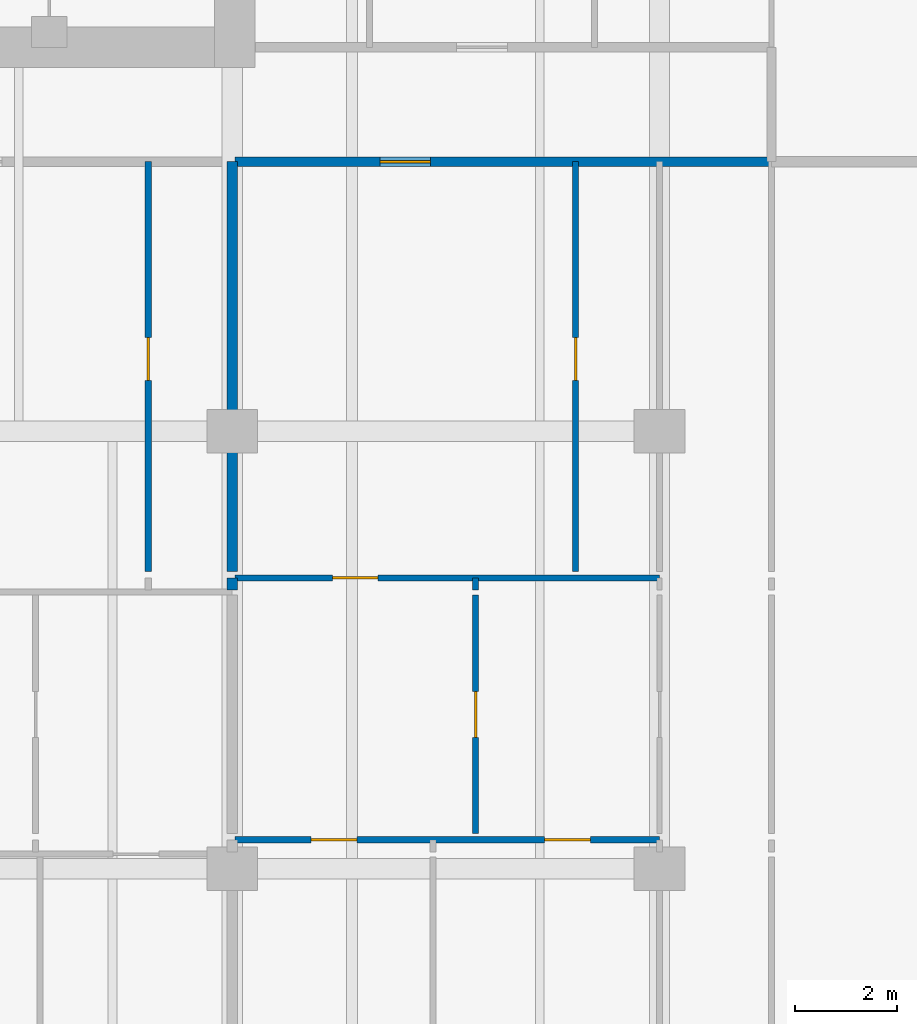
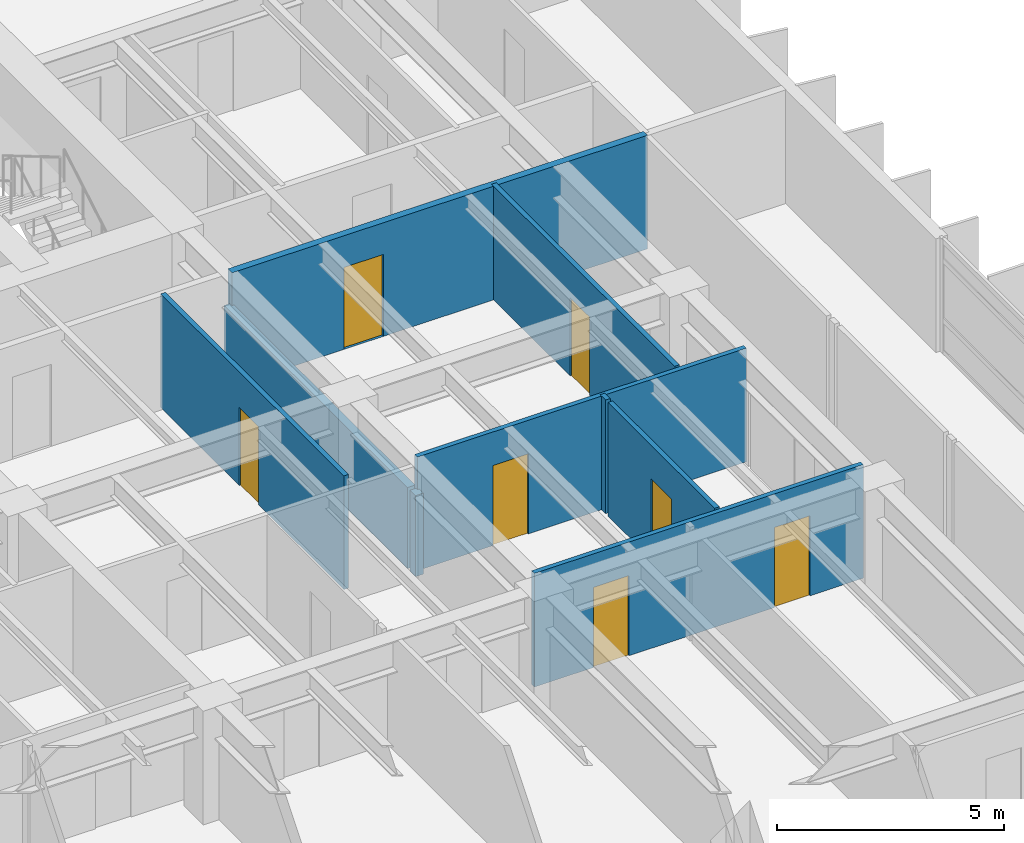
# One storey, part 10 of 18: 9 walls, 7 doors, 7 openings.
"""IFC4 building model written with IfcOpenShell, lengths in metres."""

from ifc_helpers import new_model, si_unit, direction, frame, frame_2d, origin, place, context, subcontext, project, spatial, rectangle, extrude, material, layer, layer_set, type_object, element, fill, save


model = new_model("IFC4")

# Units and contexts
model_context = context("Model", 3, precision=1e-05, world=origin(), true_north=direction((0.0, 1.0)))
body_context = subcontext(model_context, "Body", "Model", "MODEL_VIEW")
ifc_project = project(units=[si_unit("LENGTHUNIT", "METRE"), si_unit("AREAUNIT", "SQUARE_METRE"), si_unit("VOLUMEUNIT", "CUBIC_METRE"), si_unit("PLANEANGLEUNIT", "RADIAN"), si_unit("MASSUNIT", "GRAM", prefix="KILO")], contexts=[model_context])

# Site, building, storey
site_placement = place(None, origin())
site = spatial("IfcSite", under=ifc_project, at=site_placement, CompositionType="ELEMENT")
building_placement = place(site_placement, origin())
building = spatial("IfcBuilding", under=site, at=building_placement, Name="Caelmar Bay Residences", CompositionType="ELEMENT")
storey_placement = place(building_placement, frame((0.0, 0.0, 125.699951171875)))
storey = spatial("IfcBuildingStorey", under=building, at=storey_placement, Name="L34", CompositionType="ELEMENT", Elevation=125.699951171875)

# Wall, opening, door
ifc_material_1 = material(Name="Double-stud acoustic fire-rated gypsum partition 180 mm")
ifc_layer_1 = layer(ifc_material_1, 0.179931640625)
ifc_layer_set_1 = layer_set([ifc_layer_1], Name="Double-stud acoustic fire-rated gypsum partition 180 mm")
wall_type_1 = type_object("IfcWallType", Name="W-COR-200", PredefinedType="PARTITIONING", material=ifc_layer_set_1)
wall_1_placement = place(storey_placement, frame((59.550048828125, 34.699951171875, 0.0), z_axis=(0.0, 0.0, 1.0), x_axis=(1.0, 0.0, 0.0)))
wall_1 = element("IfcWall", 1, at=wall_1_placement, inside=storey, type_object=wall_type_1, Name="L34 Partition Wall H145", PredefinedType="PARTITIONING", context=body_context, shape_type="SweptSolid", body=[
    extrude(rectangle(XDim=10.550048828125, YDim=0.179931640625, at=frame_2d((5.27490234375, 0.0))), origin(), (0.0, 0.0, 1.0), 3.050048828125),
])
opening_1_placement = place(wall_1_placement, frame((2.85009765625, 0.0, 0.0)))
opening_1 = element("IfcOpeningElement", 2, at=opening_1_placement, cuts=wall_1, Name="Opening D-L34-165", PredefinedType="OPENING", context=body_context, shape_type="SweptSolid", body=[
    extrude(rectangle(XDim=1.0, YDim=2.199951171875, at=frame_2d((0.5, 1.10009765625))), frame((0.0, 0.099853515625, 0.0), z_axis=(0.0, -1.0, 0.0), x_axis=(1.0, 0.0, 0.0)), (0.0, 0.0, 1.0), 0.199951171875),
])
ifc_material_2 = material(Name="Fire-rated steel and walnut architectural door assembly", Category="steel")
ifc_layer_2 = layer(ifc_material_2, 0.050048828125)
ifc_layer_set_2 = layer_set([ifc_layer_2], Name="Fire-rated steel and walnut architectural door assembly")
door_type_1 = type_object("IfcDoorType", Name="D-UNIT-1000", OperationType="NOTDEFINED", PredefinedType="DOOR", material=ifc_layer_set_2)
door_1_placement = place(opening_1_placement, origin())
door_1 = element("IfcDoor", 3, at=door_1_placement, inside=storey, type_object=door_type_1, Name="L34 Residence 07 Apartment Hall Door", OperationType="SINGLE_SWING_RIGHT", OverallHeight=2.199951171875, OverallWidth=1.0, PredefinedType="DOOR", context=body_context, shape_type="SweptSolid", body=[
    extrude(rectangle(XDim=1.0, YDim=2.199951171875, at=frame_2d((0.5, 1.10009765625))), frame((0.0, 0.02490234375, 0.0), z_axis=(0.0, -1.0, 0.0), x_axis=(1.0, 0.0, 0.0)), (0.0, 0.0, 1.0), 0.050048828125),
])
fill(opening_1, door_1)

ifc_material_3 = material(Name="Acoustic metal-stud gypsum partition 120 mm")
ifc_layer_3 = layer(ifc_material_3, 0.1201171875)
ifc_layer_set_3 = layer_set([ifc_layer_3], Name="Acoustic metal-stud gypsum partition 120 mm")
wall_type_2 = type_object("IfcWallType", Name="W-PRT-120", PredefinedType="PARTITIONING", material=ifc_layer_set_3)
wall_2_placement = place(storey_placement, frame((57.85009765625, 26.639892578125, 0.0), z_axis=(0.0, 0.0, 1.0), x_axis=(0.0, 1.0, 0.0)))
wall_2 = element("IfcWall", 4, at=wall_2_placement, inside=storey, type_object=wall_type_2, Name="L34 Partition Wall V092", PredefinedType="PARTITIONING", context=body_context, shape_type="SweptSolid", body=[
    extrude(rectangle(XDim=8.06005859375, YDim=0.1201171875, at=frame_2d((4.030029296875, 0.0))), origin(), (0.0, 0.0, 1.0), 3.050048828125),
])
opening_2_placement = place(wall_2_placement, frame((3.7548828125, 0.0, 0.0)))
opening_2 = element("IfcOpeningElement", 5, at=opening_2_placement, cuts=wall_2, Name="Opening D-L34-159", PredefinedType="OPENING", context=body_context, shape_type="SweptSolid", body=[
    extrude(rectangle(XDim=0.85009765625, YDim=2.10009765625, at=frame_2d((0.425048828125, 1.050048828125))), frame((0.0, 0.070068359375, 0.0), z_axis=(0.0, -1.0, 0.0), x_axis=(1.0, 0.0, 0.0)), (0.0, 0.0, 1.0), 0.14013671875),
])
ifc_material_4 = material(Name="Solid walnut timber interior door leaf and frame", Category="wood")
ifc_layer_4 = layer(ifc_material_4, 0.050048828125)
ifc_layer_set_4 = layer_set([ifc_layer_4], Name="Solid walnut timber interior door leaf and frame")
door_type_2 = type_object("IfcDoorType", Name="D-BATH-850", OperationType="NOTDEFINED", PredefinedType="DOOR", material=ifc_layer_set_4)
door_2_placement = place(opening_2_placement, origin())
door_2 = element("IfcDoor", 6, at=door_2_placement, inside=storey, type_object=door_type_2, Name="L34 Residence 06 Bathroom Door", OperationType="SINGLE_SWING_RIGHT", OverallHeight=2.10009765625, OverallWidth=0.85009765625, PredefinedType="DOOR", context=body_context, shape_type="SweptSolid", body=[
    extrude(rectangle(XDim=0.85009765625, YDim=2.10009765625, at=frame_2d((0.425048828125, 1.050048828125))), frame((0.0, 0.02490234375, 0.0), z_axis=(0.0, -1.0, 0.0), x_axis=(1.0, 0.0, 0.0)), (0.0, 0.0, 1.0), 0.050048828125),
])
fill(opening_2, door_2)

wall_3_placement = place(storey_placement, frame((64.285888671875, 21.489990234375, 0.0), z_axis=(0.0, 0.0, 1.0), x_axis=(0.0, 1.0, 0.0)))
wall_3 = element("IfcWall", 7, at=wall_3_placement, inside=storey, type_object=wall_type_2, Name="L34 Partition Wall V103", PredefinedType="PARTITIONING", context=body_context, shape_type="SweptSolid", body=[
    extrude(rectangle(XDim=4.68994140625, YDim=0.1201171875, at=frame_2d((2.344970703125, 0.0))), origin(), (0.0, 0.0, 1.0), 3.050048828125),
])
opening_3_placement = place(wall_3_placement, frame((1.89501953125, 0.0, 0.0)))
opening_3 = element("IfcOpeningElement", 8, at=opening_3_placement, cuts=wall_3, Name="Opening D-L34-168", PredefinedType="OPENING", context=body_context, shape_type="SweptSolid", body=[
    extrude(rectangle(XDim=0.89990234375, YDim=2.14990234375, at=frame_2d((0.449951171875, 1.074951171875))), frame((0.0, 0.070068359375, 0.0), z_axis=(0.0, -1.0, 0.0), x_axis=(1.0, 0.0, 0.0)), (0.0, 0.0, 1.0), 0.14013671875),
])
ifc_layer_5 = layer(ifc_material_4, 0.050048828125)
ifc_layer_set_5 = layer_set([ifc_layer_5], Name="Solid walnut timber interior door leaf and frame")
door_type_3 = type_object("IfcDoorType", Name="D-ROOM-900", OperationType="NOTDEFINED", PredefinedType="DOOR", material=ifc_layer_set_5)
door_3_placement = place(opening_3_placement, origin())
door_3 = element("IfcDoor", 9, at=door_3_placement, inside=storey, type_object=door_type_3, Name="L34 Residence 07 Study Door", OperationType="SINGLE_SWING_LEFT", OverallHeight=2.14990234375, OverallWidth=0.89990234375, PredefinedType="DOOR", context=body_context, shape_type="SweptSolid", body=[
    extrude(rectangle(XDim=0.89990234375, YDim=2.14990234375, at=frame_2d((0.449951171875, 1.074951171875))), frame((0.0, 0.02490234375, 0.0), z_axis=(0.0, -1.0, 0.0), x_axis=(1.0, 0.0, 0.0)), (0.0, 0.0, 1.0), 0.050048828125),
])
fill(opening_3, door_3)

# Wall
wall_4_placement = place(storey_placement, frame((64.285888671875, 26.280029296875, 0.0), z_axis=(0.0, 0.0, 1.0), x_axis=(0.0, 1.0, 0.0)))
element("IfcWall", 10, at=wall_4_placement, inside=storey, type_object=wall_type_2, Name="L34 Partition Wall V104", PredefinedType="PARTITIONING", context=body_context, shape_type="SweptSolid", body=[
    extrude(rectangle(XDim=0.239990234375, YDim=0.1201171875, at=frame_2d((0.1201171875, 0.0))), origin(), (0.0, 0.0, 1.0), 3.050048828125),
])

# Wall, opening, door
wall_5_placement = place(storey_placement, frame((66.25, 26.639892578125, 0.0), z_axis=(0.0, 0.0, 1.0), x_axis=(0.0, 1.0, 0.0)))
wall_5 = element("IfcWall", 11, at=wall_5_placement, inside=storey, type_object=wall_type_2, Name="L34 Partition Wall V105", PredefinedType="PARTITIONING", context=body_context, shape_type="SweptSolid", body=[
    extrude(rectangle(XDim=8.06005859375, YDim=0.1201171875, at=frame_2d((4.030029296875, 0.0))), origin(), (0.0, 0.0, 1.0), 3.050048828125),
])
opening_4_placement = place(wall_5_placement, frame((3.7548828125, 0.0, 0.0)))
opening_4 = element("IfcOpeningElement", 12, at=opening_4_placement, cuts=wall_5, Name="Opening D-L34-166", PredefinedType="OPENING", context=body_context, shape_type="SweptSolid", body=[
    extrude(rectangle(XDim=0.85009765625, YDim=2.10009765625, at=frame_2d((0.425048828125, 1.050048828125))), frame((0.0, 0.070068359375, 0.0), z_axis=(0.0, -1.0, 0.0), x_axis=(1.0, 0.0, 0.0)), (0.0, 0.0, 1.0), 0.14013671875),
])
door_4_placement = place(opening_4_placement, origin())
door_4 = element("IfcDoor", 13, at=door_4_placement, inside=storey, type_object=door_type_2, Name="L34 Residence 07 Bathroom Door", OperationType="SINGLE_SWING_LEFT", OverallHeight=2.10009765625, OverallWidth=0.85009765625, PredefinedType="DOOR", context=body_context, shape_type="SweptSolid", body=[
    extrude(rectangle(XDim=0.85009765625, YDim=2.10009765625, at=frame_2d((0.425048828125, 1.050048828125))), frame((0.0, 0.02490234375, 0.0), z_axis=(0.0, -1.0, 0.0), x_axis=(1.0, 0.0, 0.0)), (0.0, 0.0, 1.0), 0.050048828125),
])
fill(opening_4, door_4)

# Wall, openings, doors
wall_6_placement = place(storey_placement, frame((59.550048828125, 21.3701171875, 0.0), z_axis=(0.0, 0.0, 1.0), x_axis=(1.0, 0.0, 0.0)))
wall_6 = element("IfcWall", 14, at=wall_6_placement, inside=storey, type_object=wall_type_2, Name="L34 Partition Wall H131", PredefinedType="PARTITIONING", context=body_context, shape_type="SweptSolid", body=[
    extrude(rectangle(XDim=8.349853515625, YDim=0.1201171875, at=frame_2d((4.1748046875, 0.0))), origin(), (0.0, 0.0, 1.0), 3.050048828125),
])
opening_5_placement = place(wall_6_placement, frame((1.4990234375, 0.0, 0.0)))
opening_5 = element("IfcOpeningElement", 15, at=opening_5_placement, cuts=wall_6, Name="Opening D-L34-169", PredefinedType="OPENING", context=body_context, shape_type="SweptSolid", body=[
    extrude(rectangle(XDim=0.89990234375, YDim=2.14990234375, at=frame_2d((0.449951171875, 1.074951171875))), frame((0.0, 0.070068359375, 0.0), z_axis=(0.0, -1.0, 0.0), x_axis=(1.0, 0.0, 0.0)), (0.0, 0.0, 1.0), 0.14013671875),
])
opening_6_placement = place(wall_6_placement, frame((6.093017578125, 0.0, 0.0)))
opening_6 = element("IfcOpeningElement", 16, at=opening_6_placement, cuts=wall_6, Name="Opening D-L34-170", PredefinedType="OPENING", context=body_context, shape_type="SweptSolid", body=[
    extrude(rectangle(XDim=0.89990234375, YDim=2.14990234375, at=frame_2d((0.449951171875, 1.074951171875))), frame((0.0, 0.070068359375, 0.0), z_axis=(0.0, -1.0, 0.0), x_axis=(1.0, 0.0, 0.0)), (0.0, 0.0, 1.0), 0.14013671875),
])
door_5_placement = place(opening_5_placement, origin())
door_5 = element("IfcDoor", 17, at=door_5_placement, inside=storey, type_object=door_type_3, Name="L34 Residence 07 Living Room Door", OperationType="SINGLE_SWING_RIGHT", OverallHeight=2.14990234375, OverallWidth=0.89990234375, PredefinedType="DOOR", context=body_context, shape_type="SweptSolid", body=[
    extrude(rectangle(XDim=0.89990234375, YDim=2.14990234375, at=frame_2d((0.449951171875, 1.074951171875))), frame((0.0, 0.02490234375, 0.0), z_axis=(0.0, -1.0, 0.0), x_axis=(1.0, 0.0, 0.0)), (0.0, 0.0, 1.0), 0.050048828125),
])
fill(opening_5, door_5)
door_6_placement = place(opening_6_placement, origin())
door_6 = element("IfcDoor", 18, at=door_6_placement, inside=storey, type_object=door_type_3, Name="L34 Residence 07 Penthouse Sitting Room Door", OperationType="SINGLE_SWING_LEFT", OverallHeight=2.14990234375, OverallWidth=0.89990234375, PredefinedType="DOOR", context=body_context, shape_type="SweptSolid", body=[
    extrude(rectangle(XDim=0.89990234375, YDim=2.14990234375, at=frame_2d((0.449951171875, 1.074951171875))), frame((0.0, 0.02490234375, 0.0), z_axis=(0.0, -1.0, 0.0), x_axis=(1.0, 0.0, 0.0)), (0.0, 0.0, 1.0), 0.050048828125),
])
fill(opening_6, door_6)

# Wall, opening, door
wall_7_placement = place(storey_placement, frame((59.550048828125, 26.52001953125, 0.0), z_axis=(0.0, 0.0, 1.0), x_axis=(1.0, 0.0, 0.0)))
wall_7 = element("IfcWall", 19, at=wall_7_placement, inside=storey, type_object=wall_type_2, Name="L34 Partition Wall H138", PredefinedType="PARTITIONING", context=body_context, shape_type="SweptSolid", body=[
    extrude(rectangle(XDim=8.349853515625, YDim=0.1201171875, at=frame_2d((4.1748046875, 0.0))), origin(), (0.0, 0.0, 1.0), 3.050048828125),
])
opening_7_placement = place(wall_7_placement, frame((1.91796875, 0.0, 0.0)))
opening_7 = element("IfcOpeningElement", 20, at=opening_7_placement, cuts=wall_7, Name="Opening D-L34-167", PredefinedType="OPENING", context=body_context, shape_type="SweptSolid", body=[
    extrude(rectangle(XDim=0.89990234375, YDim=2.14990234375, at=frame_2d((0.449951171875, 1.074951171875))), frame((0.0, 0.070068359375, 0.0), z_axis=(0.0, -1.0, 0.0), x_axis=(1.0, 0.0, 0.0)), (0.0, 0.0, 1.0), 0.14013671875),
])
door_7_placement = place(opening_7_placement, origin())
door_7 = element("IfcDoor", 21, at=door_7_placement, inside=storey, type_object=door_type_3, Name="L34 Residence 07 Kitchen Door", OperationType="SINGLE_SWING_RIGHT", OverallHeight=2.14990234375, OverallWidth=0.89990234375, PredefinedType="DOOR", context=body_context, shape_type="SweptSolid", body=[
    extrude(rectangle(XDim=0.89990234375, YDim=2.14990234375, at=frame_2d((0.449951171875, 1.074951171875))), frame((0.0, 0.02490234375, 0.0), z_axis=(0.0, -1.0, 0.0), x_axis=(1.0, 0.0, 0.0)), (0.0, 0.0, 1.0), 0.050048828125),
])
fill(opening_7, door_7)

# Walls
ifc_material_5 = material(Name="Acoustic twin-stud fire-rated inter-tenancy partition 200 mm")
ifc_layer_6 = layer(ifc_material_5, 0.199951171875)
ifc_layer_set_6 = layer_set([ifc_layer_6], Name="Acoustic twin-stud fire-rated inter-tenancy partition 200 mm")
wall_type_3 = type_object("IfcWallType", Name="W-PTY-200", PredefinedType="PARTITIONING", material=ifc_layer_set_6)
wall_8_placement = place(storey_placement, frame((59.5, 26.280029296875, 0.0), z_axis=(0.0, 0.0, 1.0), x_axis=(0.0, 1.0, 0.0)))
element("IfcWall", 22, at=wall_8_placement, inside=storey, type_object=wall_type_3, Name="L34 Partition Wall V097", PredefinedType="PARTITIONING", context=body_context, shape_type="SweptSolid", body=[
    extrude(rectangle(XDim=0.239990234375, YDim=0.199951171875, at=frame_2d((0.1201171875, 0.0))), origin(), (0.0, 0.0, 1.0), 2.174072265625),
])
wall_9_placement = place(storey_placement, frame((59.5, 26.639892578125, 0.0), z_axis=(0.0, 0.0, 1.0), x_axis=(0.0, 1.0, 0.0)))
element("IfcWall", 23, at=wall_9_placement, inside=storey, type_object=wall_type_3, Name="L34 Partition Wall V098", PredefinedType="PARTITIONING", context=body_context, shape_type="SweptSolid", body=[
    extrude(rectangle(XDim=8.06005859375, YDim=0.199951171875, at=frame_2d((4.030029296875, 0.0))), origin(), (0.0, 0.0, 1.0), 2.174072265625),
])

save(model, "model.ifc")
